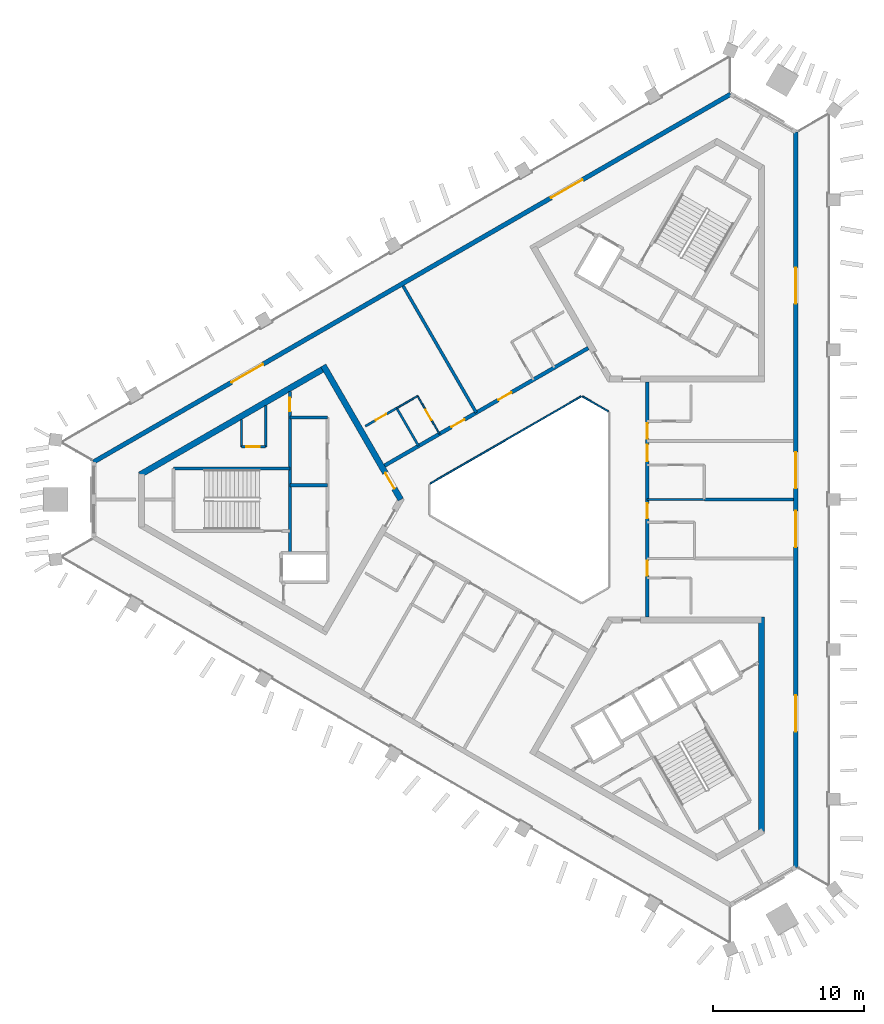
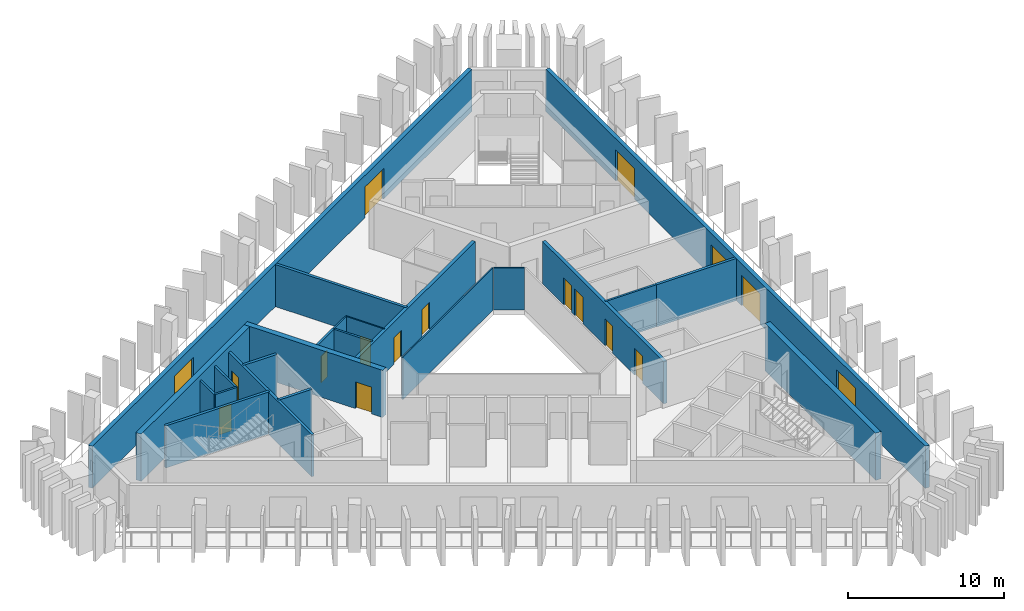
# One storey, part 4 of 10: 23 walls, 17 doors, 17 openings.
"""IFC4 building model written with IfcOpenShell, lengths in metres."""

from ifc_helpers import new_model, si_unit, direction, frame, frame_2d, origin, place, context, subcontext, project, spatial, rectangle, extrude, material, layer, layer_set, type_object, element, fill, save


model = new_model("IFC4")

# Units and contexts
model_context = context("Model", 3, precision=1e-05, world=origin(), true_north=direction((0.0, 1.0)))
body_context = subcontext(model_context, "Body", "Model", "MODEL_VIEW")
ifc_project = project(units=[si_unit("LENGTHUNIT", "METRE"), si_unit("AREAUNIT", "SQUARE_METRE"), si_unit("VOLUMEUNIT", "CUBIC_METRE"), si_unit("PLANEANGLEUNIT", "RADIAN"), si_unit("MASSUNIT", "GRAM", prefix="KILO")], contexts=[model_context])

# Site, building, storey
site_placement = place(None, origin())
site = spatial("IfcSite", under=ifc_project, at=site_placement, CompositionType="ELEMENT")
building_placement = place(site_placement, origin())
building = spatial("IfcBuilding", under=site, at=building_placement, Name="Jabali Bay Hotel Tower and Convention Centre", CompositionType="ELEMENT")
storey_placement = place(building_placement, frame((0.0, 0.0, 255.300048828125)))
storey = spatial("IfcBuildingStorey", under=building, at=storey_placement, Name="L62", CompositionType="ELEMENT", Elevation=255.300048828125)

# Walls
ifc_material_1 = material(Name="Fire-resistant glazing", Category="glass")
ifc_layer_1 = layer(ifc_material_1, 0.10009765625)
ifc_layer_set_1 = layer_set([ifc_layer_1], Name="Fire-resistant glazing")
wall_type_1 = type_object("IfcWallType", Name="Atrium glazed screen 100", PredefinedType="PARTITIONING", material=ifc_layer_set_1)
wall_1_placement = place(storey_placement, frame((79.530029296875, 85.84619140625, 0.0), z_axis=(0.0, 0.0, 1.0), x_axis=(-0.866041268327, 0.499972520799, 0.0)))
element("IfcWall", 1, at=wall_1_placement, inside=storey, type_object=wall_type_1, Name="Atrium screen 2 L62", PredefinedType="PARTITIONING", context=body_context, shape_type="SweptSolid", body=[
    extrude(rectangle(XDim=2.0, YDim=0.10009765625, at=frame_2d((1.0, 0.0))), origin(), (0.0, 0.0, 1.0), 3.300048828125),
])
wall_2_placement = place(storey_placement, frame((77.738037109375, 86.84619140625, 0.0), z_axis=(0.0, 0.0, 1.0), x_axis=(-0.866026658274, -0.499997827154, 0.0)))
element("IfcWall", 2, at=wall_2_placement, inside=storey, type_object=wall_type_1, Name="Atrium screen 3 L62", PredefinedType="PARTITIONING", context=body_context, shape_type="SweptSolid", body=[
    extrude(rectangle(XDim=11.58837890625, YDim=0.10009765625, at=frame_2d((5.794189453125, 0.0))), origin(), (0.0, 0.0, 1.0), 3.300048828125),
])

# Wall, opening, door
ifc_material_2 = material(Name="Fire-rated board partition")
ifc_layer_2 = layer(ifc_material_2, 0.14990234375)
ifc_layer_set_2 = layer_set([ifc_layer_2], Name="Fire-rated board partition")
wall_type_2 = type_object("IfcWallType", Name="Core room partition 150", PredefinedType="PARTITIONING", material=ifc_layer_set_2)
wall_3_placement = place(storey_placement, frame((56.820068359375, 83.5, 0.0), z_axis=(0.0, 0.0, 1.0), x_axis=(-1.0, 0.0, 0.0)))
wall_3 = element("IfcWall", 3, at=wall_3_placement, inside=storey, type_object=wall_type_2, Name="Core wall 0.1 L62", PredefinedType="PARTITIONING", context=body_context, shape_type="SweptSolid", body=[
    extrude(rectangle(XDim=1.60009765625, YDim=0.14990234375, at=frame_2d((0.800048828125, 0.0))), origin(), (0.0, 0.0, 1.0), 3.300048828125),
])
opening_1_placement = place(wall_3_placement, frame((0.387451171875, 0.0, 0.0)))
opening_1 = element("IfcOpeningElement", 4, at=opening_1_placement, cuts=wall_3, Name="Opening D1359", PredefinedType="OPENING", context=body_context, shape_type="SweptSolid", body=[
    extrude(rectangle(XDim=0.89990234375, YDim=2.10009765625, at=frame_2d((0.449951171875, 1.050048828125))), frame((0.0, 0.08544921875, 0.0), z_axis=(0.0, -1.0, 0.0), x_axis=(1.0, 0.0, 0.0)), (0.0, 0.0, 1.0), 0.1708984375),
])
ifc_material_3 = material(Name="Fire-rated steel door", Category="steel")
door_type_1 = type_object("IfcDoorType", Name="Core room door 900 x 2100", OperationType="NOTDEFINED", PredefinedType="NOTDEFINED", material=ifc_material_3)
door_1_placement = place(opening_1_placement, origin())
door_1 = element("IfcDoor", 5, at=door_1_placement, inside=storey, type_object=door_type_1, Name="Core room door D1359", OperationType="SINGLE_SWING_LEFT", OverallHeight=2.10009765625, OverallWidth=0.89990234375, PredefinedType="NOTDEFINED", context=body_context, shape_type="SweptSolid", body=[
    extrude(rectangle(XDim=0.89990234375, YDim=2.10009765625, at=frame_2d((0.449951171875, 1.050048828125))), frame((0.0, 0.02490234375, 0.0), z_axis=(0.0, -1.0, 0.0), x_axis=(1.0, 0.0, 0.0)), (0.0, 0.0, 1.0), 0.050048828125),
])
fill(opening_1, door_1)

# Walls
wall_4_placement = place(storey_placement, frame((56.820068359375, 86.223876953125, 0.0), z_axis=(0.0, 0.0, 1.0), x_axis=(0.0, -1.0, 0.0)))
element("IfcWall", 6, at=wall_4_placement, inside=storey, type_object=wall_type_2, Name="Core wall 0.12 L62", PredefinedType="PARTITIONING", context=body_context, shape_type="SweptSolid", body=[
    extrude(rectangle(XDim=2.723876953125, YDim=0.14990234375, at=frame_2d((1.36181640625, 0.0))), origin(), (0.0, 0.0, 1.0), 3.300048828125),
])
wall_5_placement = place(storey_placement, frame((55.219970703125, 85.300048828125, 0.0), z_axis=(0.0, 0.0, 1.0), x_axis=(0.0, -1.0, 0.0)))
element("IfcWall", 7, at=wall_5_placement, inside=storey, type_object=wall_type_2, Name="Core wall 0.13 L62", PredefinedType="PARTITIONING", context=body_context, shape_type="SweptSolid", body=[
    extrude(rectangle(XDim=1.800048828125, YDim=0.14990234375, at=frame_2d((0.89990234375, 0.0))), origin(), (0.0, 0.0, 1.0), 3.300048828125),
])
ifc_material_4 = material(Name="Concrete C40", Category="concrete")
ifc_layer_3 = layer(ifc_material_4, 0.199951171875)
ifc_layer_set_3 = layer_set([ifc_layer_3], Name="Concrete C40")
wall_type_3 = type_object("IfcWallType", Name="Core stair wall 200", PredefinedType="SOLIDWALL", material=ifc_layer_set_3)
wall_6_placement = place(storey_placement, frame((60.89990234375, 85.449951171875, 0.0), z_axis=(0.0, 0.0, 1.0), x_axis=(-1.0, 0.0, 0.0)))
element("IfcWall", 8, at=wall_6_placement, inside=storey, type_object=wall_type_3, Name="Core wall 0.0 L62", PredefinedType="SOLIDWALL", context=body_context, shape_type="SweptSolid", body=[
    extrude(rectangle(XDim=2.47998046875, YDim=0.199951171875, at=frame_2d((1.239990234375, 0.0))), origin(), (0.0, 0.0, 1.0), 3.300048828125),
])
wall_7_placement = place(storey_placement, frame((58.419921875, 82.074951171875, 0.0), z_axis=(0.0, 0.0, 1.0), x_axis=(-1.0, 0.0, 0.0)))
element("IfcWall", 9, at=wall_7_placement, inside=storey, type_object=wall_type_3, Name="Core wall 0.2 L62", PredefinedType="SOLIDWALL", context=body_context, shape_type="SweptSolid", body=[
    extrude(rectangle(XDim=7.699951171875, YDim=0.199951171875, at=frame_2d((3.85009765625, 0.0))), origin(), (0.0, 0.0, 1.0), 3.300048828125),
])
wall_8_placement = place(storey_placement, frame((60.89990234375, 80.949951171875, 0.0), z_axis=(0.0, 0.0, 1.0), x_axis=(-1.0, 0.0, 0.0)))
element("IfcWall", 10, at=wall_8_placement, inside=storey, type_object=wall_type_3, Name="Core wall 0.3 L62", PredefinedType="SOLIDWALL", context=body_context, shape_type="SweptSolid", body=[
    extrude(rectangle(XDim=2.47998046875, YDim=0.199951171875, at=frame_2d((1.239990234375, 0.0))), origin(), (0.0, 0.0, 1.0), 3.300048828125),
])

# Wall, opening, door
wall_9_placement = place(storey_placement, frame((58.419921875, 87.147705078125, 0.0), z_axis=(0.0, 0.0, 1.0), x_axis=(0.0, -1.0, 0.0)))
wall_9 = element("IfcWall", 11, at=wall_9_placement, inside=storey, type_object=wall_type_3, Name="Core wall 0.9 L62", PredefinedType="SOLIDWALL", context=body_context, shape_type="SweptSolid", body=[
    extrude(rectangle(XDim=10.69775390625, YDim=0.199951171875, at=frame_2d((5.348876953125, 0.0))), origin(), (0.0, 0.0, 1.0), 3.300048828125),
])
opening_2_placement = place(wall_9_placement, frame((0.398681640625, 0.0, 0.0)))
opening_2 = element("IfcOpeningElement", 12, at=opening_2_placement, cuts=wall_9, Name="Opening D1357", PredefinedType="OPENING", context=body_context, shape_type="SweptSolid", body=[
    extrude(rectangle(XDim=0.89990234375, YDim=2.10009765625, at=frame_2d((0.449951171875, 1.050048828125))), frame((0.0, 0.1103515625, 0.0), z_axis=(0.0, -1.0, 0.0), x_axis=(1.0, 0.0, 0.0)), (0.0, 0.0, 1.0), 0.220947265625),
])
door_type_2 = type_object("IfcDoorType", Name="Vestibule fire door 900 x 2100", OperationType="NOTDEFINED", PredefinedType="NOTDEFINED", material=ifc_material_3)
door_2_placement = place(opening_2_placement, origin())
door_2 = element("IfcDoor", 13, at=door_2_placement, inside=storey, type_object=door_type_2, Name="Vestibule fire door D1357", OperationType="SINGLE_SWING_LEFT", OverallHeight=2.10009765625, OverallWidth=0.89990234375, PredefinedType="NOTDEFINED", context=body_context, shape_type="SweptSolid", body=[
    extrude(rectangle(XDim=0.89990234375, YDim=2.10009765625, at=frame_2d((0.449951171875, 1.050048828125))), frame((0.0, 0.02490234375, 0.0), z_axis=(0.0, -1.0, 0.0), x_axis=(1.0, 0.0, 0.0)), (0.0, 0.0, 1.0), 0.050048828125),
])
fill(opening_2, door_2)

ifc_material_5 = material(Name="Concrete C60", Category="concrete")
ifc_layer_4 = layer(ifc_material_5, 0.39990234375)
ifc_layer_set_4 = layer_set([ifc_layer_4], Name="Concrete C60")
wall_type_4 = type_object("IfcWallType", Name="Core wall 400", PredefinedType="SHEAR", material=ifc_layer_set_4)
wall_10_placement = place(storey_placement, frame((65.76904296875, 80.0, 0.0), z_axis=(0.0, 0.0, 1.0), x_axis=(-0.50000177223, 0.866024380585, 0.0)))
wall_10 = element("IfcWall", 14, at=wall_10_placement, inside=storey, type_object=wall_type_4, Name="Core wall 1.1 L62", PredefinedType="SHEAR", context=body_context, shape_type="SweptSolid", body=[
    extrude(rectangle(XDim=10.2646484375, YDim=0.39990234375, at=frame_2d((5.13232421875, 0.0))), origin(), (0.0, 0.0, 1.0), 3.699951171875),
])
opening_3_placement = place(wall_10_placement, frame((0.83447265625, 0.0, 0.0)))
opening_3 = element("IfcOpeningElement", 15, at=opening_3_placement, cuts=wall_10, Name="Opening D1352", PredefinedType="OPENING", context=body_context, shape_type="SweptSolid", body=[
    extrude(rectangle(XDim=1.199951171875, YDim=2.10009765625, at=frame_2d((0.60009765625, 1.050048828125))), frame((0.0, 0.21044921875, 0.0), z_axis=(0.0, -1.0, 0.0), x_axis=(1.0, 0.0, 0.0)), (0.0, 0.0, 1.0), 0.4208984375),
])
door_type_3 = type_object("IfcDoorType", Name="Corridor end fire door 1200 x 2100", OperationType="NOTDEFINED", PredefinedType="NOTDEFINED", material=ifc_material_3)
door_3_placement = place(opening_3_placement, origin())
door_3 = element("IfcDoor", 16, at=door_3_placement, inside=storey, type_object=door_type_3, Name="Corridor end fire door D1352", OperationType="SINGLE_SWING_RIGHT", OverallHeight=2.10009765625, OverallWidth=1.199951171875, PredefinedType="NOTDEFINED", context=body_context, shape_type="SweptSolid", body=[
    extrude(rectangle(XDim=1.199951171875, YDim=2.10009765625, at=frame_2d((0.60009765625, 1.050048828125))), frame((0.0, 0.02490234375, 0.0), z_axis=(0.0, -1.0, 0.0), x_axis=(1.0, 0.0, 0.0)), (0.0, 0.0, 1.0), 0.050048828125),
])
fill(opening_3, door_3)

# Walls
wall_11_placement = place(storey_placement, frame((60.73681640625, 88.716064453125, 0.0), z_axis=(0.0, 0.0, 1.0), x_axis=(-0.866028812667, -0.499994095595, 0.0)))
element("IfcWall", 17, at=wall_11_placement, inside=storey, type_object=wall_type_4, Name="Core wall 1.2 L62", PredefinedType="SHEAR", context=body_context, shape_type="SweptSolid", body=[
    extrude(rectangle(XDim=14.133544921875, YDim=0.39990234375, at=frame_2d((7.06689453125, 0.0))), origin(), (0.0, 0.0, 1.0), 3.699951171875),
])
wall_12_placement = place(storey_placement, frame((89.679931640625, 57.98779296875, 0.0), z_axis=(0.0, 0.0, 1.0), x_axis=(0.0, 1.0, 0.0)))
element("IfcWall", 18, at=wall_12_placement, inside=storey, type_object=wall_type_4, Name="Core wall 3.4 L62", PredefinedType="SHEAR", context=body_context, shape_type="SweptSolid", body=[
    extrude(rectangle(XDim=14.218017578125, YDim=0.39990234375, at=frame_2d((7.10888671875, 0.0))), origin(), (0.0, 0.0, 1.0), 3.699951171875),
])

# Wall, openings, doors
ifc_layer_5 = layer(ifc_material_5, 0.25)
ifc_layer_set_5 = layer_set([ifc_layer_5], Name="Concrete C60")
wall_type_5 = type_object("IfcWallType", Name="Corridor wall 250", PredefinedType="SHEAR", material=ifc_layer_set_5)
wall_13_placement = place(storey_placement, frame((82.10009765625, 72.205810546875, 0.0), z_axis=(0.0, 0.0, 1.0), x_axis=(0.0, 1.0, 0.0)))
wall_13 = element("IfcWall", 19, at=wall_13_placement, inside=storey, type_object=wall_type_5, Name="Corridor wall 1 L62", PredefinedType="SHEAR", context=body_context, shape_type="SweptSolid", body=[
    extrude(rectangle(XDim=15.58837890625, YDim=0.25, at=frame_2d((7.794189453125, 0.0))), origin(), (0.0, 0.0, 1.0), 3.300048828125),
])
opening_4_placement = place(wall_13_placement, frame((2.7470703125, 0.0, 0.0)))
opening_4 = element("IfcOpeningElement", 20, at=opening_4_placement, cuts=wall_13, Name="Opening 6202", PredefinedType="OPENING", context=body_context, shape_type="SweptSolid", body=[
    extrude(rectangle(XDim=1.0, YDim=2.10009765625, at=frame_2d((0.5, 1.050048828125))), frame((0.0, 0.135498046875, 0.0), z_axis=(0.0, -1.0, 0.0), x_axis=(1.0, 0.0, 0.0)), (0.0, 0.0, 1.0), 0.27099609375),
])
opening_5_placement = place(wall_13_placement, frame((6.544189453125, 0.0, 0.0)))
opening_5 = element("IfcOpeningElement", 21, at=opening_5_placement, cuts=wall_13, Name="Opening 6204", PredefinedType="OPENING", context=body_context, shape_type="SweptSolid", body=[
    extrude(rectangle(XDim=1.0, YDim=2.10009765625, at=frame_2d((0.5, 1.050048828125))), frame((0.0, 0.135498046875, 0.0), z_axis=(0.0, -1.0, 0.0), x_axis=(1.0, 0.0, 0.0)), (0.0, 0.0, 1.0), 0.27099609375),
])
opening_6_placement = place(wall_13_placement, frame((10.34130859375, 0.0, 0.0)))
opening_6 = element("IfcOpeningElement", 22, at=opening_6_placement, cuts=wall_13, Name="Opening 6206", PredefinedType="OPENING", context=body_context, shape_type="SweptSolid", body=[
    extrude(rectangle(XDim=1.10009765625, YDim=2.10009765625, at=frame_2d((0.550048828125, 1.050048828125))), frame((0.0, 0.135498046875, 0.0), z_axis=(0.0, -1.0, 0.0), x_axis=(1.0, 0.0, 0.0)), (0.0, 0.0, 1.0), 0.27099609375),
])
opening_7_placement = place(wall_13_placement, frame((11.84130859375, 0.0, 0.0)))
opening_7 = element("IfcOpeningElement", 23, at=opening_7_placement, cuts=wall_13, Name="Opening 6208", PredefinedType="OPENING", context=body_context, shape_type="SweptSolid", body=[
    extrude(rectangle(XDim=1.0, YDim=2.10009765625, at=frame_2d((0.5, 1.050048828125))), frame((0.0, 0.135498046875, 0.0), z_axis=(0.0, -1.0, 0.0), x_axis=(1.0, 0.0, 0.0)), (0.0, 0.0, 1.0), 0.27099609375),
])
ifc_material_6 = material(Name="Timber", Category="wood")
door_type_4 = type_object("IfcDoorType", Name="Accessible guest room door 1100 x 2100", OperationType="NOTDEFINED", PredefinedType="NOTDEFINED", material=ifc_material_6)
door_4_placement = place(opening_6_placement, origin())
door_4 = element("IfcDoor", 24, at=door_4_placement, inside=storey, type_object=door_type_4, Name="Door 6206", OperationType="SINGLE_SWING_RIGHT", OverallHeight=2.10009765625, OverallWidth=1.10009765625, PredefinedType="NOTDEFINED", context=body_context, shape_type="SweptSolid", body=[
    extrude(rectangle(XDim=1.10009765625, YDim=2.10009765625, at=frame_2d((0.550048828125, 1.050048828125))), frame((0.0, 0.02490234375, 0.0), z_axis=(0.0, -1.0, 0.0), x_axis=(1.0, 0.0, 0.0)), (0.0, 0.0, 1.0), 0.050048828125),
])
fill(opening_6, door_4)
door_type_5 = type_object("IfcDoorType", Name="Guest room door 1000 x 2100", OperationType="NOTDEFINED", PredefinedType="NOTDEFINED", material=ifc_material_6)
door_5_placement = place(opening_4_placement, origin())
door_5 = element("IfcDoor", 25, at=door_5_placement, inside=storey, type_object=door_type_5, Name="Door 6202", OperationType="SINGLE_SWING_LEFT", OverallHeight=2.10009765625, OverallWidth=1.0, PredefinedType="NOTDEFINED", context=body_context, shape_type="SweptSolid", body=[
    extrude(rectangle(XDim=1.0, YDim=2.10009765625, at=frame_2d((0.5, 1.050048828125))), frame((0.0, 0.02490234375, 0.0), z_axis=(0.0, -1.0, 0.0), x_axis=(1.0, 0.0, 0.0)), (0.0, 0.0, 1.0), 0.050048828125),
])
fill(opening_4, door_5)
door_6_placement = place(opening_5_placement, origin())
door_6 = element("IfcDoor", 26, at=door_6_placement, inside=storey, type_object=door_type_5, Name="Door 6204", OperationType="SINGLE_SWING_LEFT", OverallHeight=2.10009765625, OverallWidth=1.0, PredefinedType="NOTDEFINED", context=body_context, shape_type="SweptSolid", body=[
    extrude(rectangle(XDim=1.0, YDim=2.10009765625, at=frame_2d((0.5, 1.050048828125))), frame((0.0, 0.02490234375, 0.0), z_axis=(0.0, -1.0, 0.0), x_axis=(1.0, 0.0, 0.0)), (0.0, 0.0, 1.0), 0.050048828125),
])
fill(opening_5, door_6)
door_7_placement = place(opening_7_placement, origin())
door_7 = element("IfcDoor", 27, at=door_7_placement, inside=storey, type_object=door_type_5, Name="Door 6208", OperationType="SINGLE_SWING_RIGHT", OverallHeight=2.10009765625, OverallWidth=1.0, PredefinedType="NOTDEFINED", context=body_context, shape_type="SweptSolid", body=[
    extrude(rectangle(XDim=1.0, YDim=2.10009765625, at=frame_2d((0.5, 1.050048828125))), frame((0.0, 0.02490234375, 0.0), z_axis=(0.0, -1.0, 0.0), x_axis=(1.0, 0.0, 0.0)), (0.0, 0.0, 1.0), 0.050048828125),
])
fill(opening_7, door_7)

wall_14_placement = place(storey_placement, frame((78.199951171875, 90.0458984375, 0.0), z_axis=(0.0, 0.0, 1.0), x_axis=(-0.866026492143, -0.499998114903, 0.0)))
wall_14 = element("IfcWall", 28, at=wall_14_placement, inside=storey, type_object=wall_type_5, Name="Corridor wall 2 L62", PredefinedType="SHEAR", context=body_context, shape_type="SweptSolid", body=[
    extrude(rectangle(XDim=15.58837890625, YDim=0.25, at=frame_2d((7.794189453125, 0.0))), origin(), (0.0, 0.0, 1.0), 3.300048828125),
])
opening_8_placement = place(wall_14_placement, frame((5.88671875, 0.0, 0.0)))
opening_8 = element("IfcOpeningElement", 29, at=opening_8_placement, cuts=wall_14, Name="Opening 6211", PredefinedType="OPENING", context=body_context, shape_type="SweptSolid", body=[
    extrude(rectangle(XDim=1.0, YDim=2.10009765625, at=frame_2d((0.5, 1.050048828125))), frame((0.0, 0.135498046875, 0.0), z_axis=(0.0, -1.0, 0.0), x_axis=(1.0, 0.0, 0.0)), (0.0, 0.0, 1.0), 0.27099609375),
])
opening_9_placement = place(wall_14_placement, frame((9.481201171875, 0.0, 0.0)))
opening_9 = element("IfcOpeningElement", 30, at=opening_9_placement, cuts=wall_14, Name="Opening 6214", PredefinedType="OPENING", context=body_context, shape_type="SweptSolid", body=[
    extrude(rectangle(XDim=1.0, YDim=2.10009765625, at=frame_2d((0.5, 1.050048828125))), frame((0.0, 0.135498046875, 0.0), z_axis=(0.0, -1.0, 0.0), x_axis=(1.0, 0.0, 0.0)), (0.0, 0.0, 1.0), 0.27099609375),
])
door_8_placement = place(opening_8_placement, origin())
door_8 = element("IfcDoor", 31, at=door_8_placement, inside=storey, type_object=door_type_5, Name="Door 6211", OperationType="SINGLE_SWING_LEFT", OverallHeight=2.10009765625, OverallWidth=1.0, PredefinedType="NOTDEFINED", context=body_context, shape_type="SweptSolid", body=[
    extrude(rectangle(XDim=1.0, YDim=2.10009765625, at=frame_2d((0.5, 1.050048828125))), frame((0.0, 0.02490234375, 0.0), z_axis=(0.0, -1.0, 0.0), x_axis=(1.0, 0.0, 0.0)), (0.0, 0.0, 1.0), 0.050048828125),
])
fill(opening_8, door_8)
door_9_placement = place(opening_9_placement, origin())
door_9 = element("IfcDoor", 32, at=door_9_placement, inside=storey, type_object=door_type_5, Name="Door 6214", OperationType="SINGLE_SWING_RIGHT", OverallHeight=2.10009765625, OverallWidth=1.0, PredefinedType="NOTDEFINED", context=body_context, shape_type="SweptSolid", body=[
    extrude(rectangle(XDim=1.0, YDim=2.10009765625, at=frame_2d((0.5, 1.050048828125))), frame((0.0, 0.02490234375, 0.0), z_axis=(0.0, -1.0, 0.0), x_axis=(1.0, 0.0, 0.0)), (0.0, 0.0, 1.0), 0.050048828125),
])
fill(opening_9, door_9)

ifc_layer_6 = layer(ifc_material_4, 0.300048828125)
ifc_layer_set_6 = layer_set([ifc_layer_6], Name="Concrete C40")
wall_type_6 = type_object("IfcWallType", Name="External wall 300", PredefinedType="SOLIDWALL", material=ifc_layer_set_6)
wall_15_placement = place(storey_placement, frame((91.951416015625, 104.3740234375, 0.0), z_axis=(0.0, 0.0, 1.0), x_axis=(0.0, -1.0, 0.0)))
wall_15 = element("IfcWall", 33, at=wall_15_placement, inside=storey, type_object=wall_type_6, Name="External wall east face L62", PredefinedType="SOLIDWALL", context=body_context, shape_type="SweptSolid", body=[
    extrude(rectangle(XDim=48.748046875, YDim=0.300048828125, at=frame_2d((24.3740234375, 0.0))), origin(), (0.0, 0.0, 1.0), 3.300048828125),
])
opening_10_placement = place(wall_15_placement, frame((21.2255859375, 0.0, 0.0)))
opening_10 = element("IfcOpeningElement", 34, at=opening_10_placement, cuts=wall_15, Name="Opening SD1", PredefinedType="OPENING", context=body_context, shape_type="SweptSolid", body=[
    extrude(rectangle(XDim=2.39990234375, YDim=2.39990234375, at=frame_2d((1.199951171875, 1.199951171875))), frame((0.0, 0.16064453125, 0.0), z_axis=(0.0, -1.0, 0.0), x_axis=(1.0, 0.0, 0.0)), (0.0, 0.0, 1.0), 0.321044921875),
])
opening_11_placement = place(wall_15_placement, frame((25.12255859375, 0.0, 0.0)))
opening_11 = element("IfcOpeningElement", 35, at=opening_11_placement, cuts=wall_15, Name="Opening SD1", PredefinedType="OPENING", context=body_context, shape_type="SweptSolid", body=[
    extrude(rectangle(XDim=2.39990234375, YDim=2.39990234375, at=frame_2d((1.199951171875, 1.199951171875))), frame((0.0, 0.16064453125, 0.0), z_axis=(0.0, -1.0, 0.0), x_axis=(1.0, 0.0, 0.0)), (0.0, 0.0, 1.0), 0.321044921875),
])
opening_12_placement = place(wall_15_placement, frame((37.35302734375, 0.0, 0.0)))
opening_12 = element("IfcOpeningElement", 36, at=opening_12_placement, cuts=wall_15, Name="Opening SD1", PredefinedType="OPENING", context=body_context, shape_type="SweptSolid", body=[
    extrude(rectangle(XDim=2.39990234375, YDim=2.39990234375, at=frame_2d((1.199951171875, 1.199951171875))), frame((0.0, 0.16064453125, 0.0), z_axis=(0.0, -1.0, 0.0), x_axis=(1.0, 0.0, 0.0)), (0.0, 0.0, 1.0), 0.321044921875),
])
opening_13_placement = place(wall_15_placement, frame((8.9951171875, 0.0, 0.0)))
opening_13 = element("IfcOpeningElement", 37, at=opening_13_placement, cuts=wall_15, Name="Opening SD1", PredefinedType="OPENING", context=body_context, shape_type="SweptSolid", body=[
    extrude(rectangle(XDim=2.39990234375, YDim=2.39990234375, at=frame_2d((1.199951171875, 1.199951171875))), frame((0.0, 0.16064453125, 0.0), z_axis=(0.0, -1.0, 0.0), x_axis=(1.0, 0.0, 0.0)), (0.0, 0.0, 1.0), 0.321044921875),
])
ifc_material_7 = material(Name="Glass", Category="glass")
door_type_6 = type_object("IfcDoorType", Name="Loggia sliding door 2400 x 2400", OperationType="NOTDEFINED", PredefinedType="NOTDEFINED", material=ifc_material_7)
door_10_placement = place(opening_10_placement, origin())
door_10 = element("IfcDoor", 38, at=door_10_placement, inside=storey, type_object=door_type_6, Name="Loggia sliding door 6203", OperationType="SLIDING_TO_LEFT", OverallHeight=2.39990234375, OverallWidth=2.39990234375, PredefinedType="NOTDEFINED", context=body_context, shape_type="SweptSolid", body=[
    extrude(rectangle(XDim=2.39990234375, YDim=2.39990234375, at=frame_2d((1.199951171875, 1.199951171875))), frame((0.0, 0.02490234375, 0.0), z_axis=(0.0, -1.0, 0.0), x_axis=(1.0, 0.0, 0.0)), (0.0, 0.0, 1.0), 0.050048828125),
])
fill(opening_10, door_10)
door_11_placement = place(opening_11_placement, origin())
door_11 = element("IfcDoor", 39, at=door_11_placement, inside=storey, type_object=door_type_6, Name="Loggia sliding door 6202", OperationType="SLIDING_TO_RIGHT", OverallHeight=2.39990234375, OverallWidth=2.39990234375, PredefinedType="NOTDEFINED", context=body_context, shape_type="SweptSolid", body=[
    extrude(rectangle(XDim=2.39990234375, YDim=2.39990234375, at=frame_2d((1.199951171875, 1.199951171875))), frame((0.0, 0.02490234375, 0.0), z_axis=(0.0, -1.0, 0.0), x_axis=(1.0, 0.0, 0.0)), (0.0, 0.0, 1.0), 0.050048828125),
])
fill(opening_11, door_11)
door_12_placement = place(opening_12_placement, origin())
door_12 = element("IfcDoor", 40, at=door_12_placement, inside=storey, type_object=door_type_6, Name="Loggia sliding door 6201", OperationType="SLIDING_TO_LEFT", OverallHeight=2.39990234375, OverallWidth=2.39990234375, PredefinedType="NOTDEFINED", context=body_context, shape_type="SweptSolid", body=[
    extrude(rectangle(XDim=2.39990234375, YDim=2.39990234375, at=frame_2d((1.199951171875, 1.199951171875))), frame((0.0, 0.02490234375, 0.0), z_axis=(0.0, -1.0, 0.0), x_axis=(1.0, 0.0, 0.0)), (0.0, 0.0, 1.0), 0.050048828125),
])
fill(opening_12, door_12)
door_13_placement = place(opening_13_placement, origin())
door_13 = element("IfcDoor", 41, at=door_13_placement, inside=storey, type_object=door_type_6, Name="Loggia sliding door 6204", OperationType="SLIDING_TO_RIGHT", OverallHeight=2.39990234375, OverallWidth=2.39990234375, PredefinedType="NOTDEFINED", context=body_context, shape_type="SweptSolid", body=[
    extrude(rectangle(XDim=2.39990234375, YDim=2.39990234375, at=frame_2d((1.199951171875, 1.199951171875))), frame((0.0, 0.02490234375, 0.0), z_axis=(0.0, -1.0, 0.0), x_axis=(1.0, 0.0, 0.0)), (0.0, 0.0, 1.0), 0.050048828125),
])
fill(opening_13, door_13)

wall_16_placement = place(storey_placement, frame((45.415771484375, 82.493408203125, 0.0), z_axis=(0.0, 0.0, 1.0), x_axis=(0.866025373204, 0.500000052967, 0.0)))
wall_16 = element("IfcWall", 42, at=wall_16_placement, inside=storey, type_object=wall_type_6, Name="External wall north-west face L62", PredefinedType="SOLIDWALL", context=body_context, shape_type="SweptSolid", body=[
    extrude(rectangle(XDim=48.748046875, YDim=0.300048828125, at=frame_2d((24.3740234375, 0.0))), origin(), (0.0, 0.0, 1.0), 3.300048828125),
])
opening_14_placement = place(wall_16_placement, frame((35.0146484375, 0.0, 0.0)))
opening_14 = element("IfcOpeningElement", 43, at=opening_14_placement, cuts=wall_16, Name="Opening SD1", PredefinedType="OPENING", context=body_context, shape_type="SweptSolid", body=[
    extrude(rectangle(XDim=2.39990234375, YDim=2.39990234375, at=frame_2d((1.199951171875, 1.199951171875))), frame((0.0, 0.16064453125, 0.0), z_axis=(0.0, -1.0, 0.0), x_axis=(1.0, 0.0, 0.0)), (0.0, 0.0, 1.0), 0.321044921875),
])
opening_15_placement = place(wall_16_placement, frame((10.553955078125, 0.0, 0.0)))
opening_15 = element("IfcOpeningElement", 44, at=opening_15_placement, cuts=wall_16, Name="Opening SD1", PredefinedType="OPENING", context=body_context, shape_type="SweptSolid", body=[
    extrude(rectangle(XDim=2.39990234375, YDim=2.39990234375, at=frame_2d((1.199951171875, 1.199951171875))), frame((0.0, 0.16064453125, 0.0), z_axis=(0.0, -1.0, 0.0), x_axis=(1.0, 0.0, 0.0)), (0.0, 0.0, 1.0), 0.321044921875),
])
door_14_placement = place(opening_14_placement, origin())
door_14 = element("IfcDoor", 45, at=door_14_placement, inside=storey, type_object=door_type_6, Name="Loggia sliding door 6205", OperationType="SLIDING_TO_LEFT", OverallHeight=2.39990234375, OverallWidth=2.39990234375, PredefinedType="NOTDEFINED", context=body_context, shape_type="SweptSolid", body=[
    extrude(rectangle(XDim=2.39990234375, YDim=2.39990234375, at=frame_2d((1.199951171875, 1.199951171875))), frame((0.0, 0.02490234375, 0.0), z_axis=(0.0, -1.0, 0.0), x_axis=(1.0, 0.0, 0.0)), (0.0, 0.0, 1.0), 0.050048828125),
])
fill(opening_14, door_14)
door_15_placement = place(opening_15_placement, origin())
door_15 = element("IfcDoor", 46, at=door_15_placement, inside=storey, type_object=door_type_6, Name="Loggia sliding door 6206", OperationType="SLIDING_TO_RIGHT", OverallHeight=2.39990234375, OverallWidth=2.39990234375, PredefinedType="NOTDEFINED", context=body_context, shape_type="SweptSolid", body=[
    extrude(rectangle(XDim=2.39990234375, YDim=2.39990234375, at=frame_2d((1.199951171875, 1.199951171875))), frame((0.0, 0.02490234375, 0.0), z_axis=(0.0, -1.0, 0.0), x_axis=(1.0, 0.0, 0.0)), (0.0, 0.0, 1.0), 0.050048828125),
])
fill(opening_15, door_15)

# Wall
ifc_material_8 = material(Name="Plasterboard on steel stud", Category="steel")
ifc_layer_7 = layer(ifc_material_8, 0.10009765625)
ifc_layer_set_7 = layer_set([ifc_layer_7], Name="Plasterboard on steel stud")
wall_type_7 = type_object("IfcWallType", Name="Partition 100 unit", PredefinedType="PARTITIONING", material=ifc_layer_set_7)
wall_17_placement = place(storey_placement, frame((65.501708984375, 86.063232421875, 0.0), z_axis=(0.0, 0.0, 1.0), x_axis=(0.866055983265, 0.499947031044, 0.0)))
element("IfcWall", 47, at=wall_17_placement, inside=storey, type_object=wall_type_7, Name="Partition P02 L62 022", PredefinedType="PARTITIONING", context=body_context, shape_type="SweptSolid", body=[
    extrude(rectangle(XDim=1.599853515625, YDim=0.10009765625, at=frame_2d((0.7998046875, 0.0))), origin(), (0.0, 0.0, 1.0), 3.300048828125),
])

# Wall, opening, door
wall_18_placement = place(storey_placement, frame((66.88720703125, 86.863037109375, 0.0), z_axis=(0.0, 0.0, 1.0), x_axis=(0.50005036918, -0.865996321171, 0.0)))
wall_18 = element("IfcWall", 48, at=wall_18_placement, inside=storey, type_object=wall_type_7, Name="Partition P02 L62 023", PredefinedType="PARTITIONING", context=body_context, shape_type="SweptSolid", body=[
    extrude(rectangle(XDim=2.900146484375, YDim=0.10009765625, at=frame_2d((1.4501953125, 0.0))), origin(), (0.0, 0.0, 1.0), 3.300048828125),
])
opening_16_placement = place(wall_18_placement, frame((1.050048828125, 0.0, 0.0)))
opening_16 = element("IfcOpeningElement", 49, at=opening_16_placement, cuts=wall_18, Name="Opening 6213", PredefinedType="OPENING", context=body_context, shape_type="SweptSolid", body=[
    extrude(rectangle(XDim=0.800048828125, YDim=2.10009765625, at=frame_2d((0.39990234375, 1.050048828125))), frame((0.0, 0.060546875, 0.0), z_axis=(0.0, -1.0, 0.0), x_axis=(1.0, 0.0, 0.0)), (0.0, 0.0, 1.0), 0.12109375),
])
door_type_7 = type_object("IfcDoorType", Name="Dressing room door 800 x 2100", OperationType="NOTDEFINED", PredefinedType="NOTDEFINED", material=ifc_material_6)
door_16_placement = place(opening_16_placement, origin())
door_16 = element("IfcDoor", 50, at=door_16_placement, inside=storey, type_object=door_type_7, Name="Door 6213", OperationType="SINGLE_SWING_RIGHT", OverallHeight=2.10009765625, OverallWidth=0.800048828125, PredefinedType="NOTDEFINED", context=body_context, shape_type="SweptSolid", body=[
    extrude(rectangle(XDim=0.800048828125, YDim=2.10009765625, at=frame_2d((0.39990234375, 1.050048828125))), frame((0.0, 0.02490234375, 0.0), z_axis=(0.0, -1.0, 0.0), x_axis=(1.0, 0.0, 0.0)), (0.0, 0.0, 1.0), 0.050048828125),
])
fill(opening_16, door_16)

# Wall
ifc_layer_8 = layer(ifc_material_8, 0.14990234375)
ifc_layer_set_8 = layer_set([ifc_layer_8], Name="Plasterboard on steel stud")
wall_type_8 = type_object("IfcWallType", Name="Partition 150 wet", PredefinedType="PARTITIONING", material=ifc_layer_set_8)
wall_19_placement = place(storey_placement, frame((85.887451171875, 80.0, 0.0), z_axis=(0.0, 0.0, 1.0), x_axis=(-1.0, 0.0, 0.0)))
element("IfcWall", 51, at=wall_19_placement, inside=storey, type_object=wall_type_8, Name="Partition P03 L62 009", PredefinedType="PARTITIONING", context=body_context, shape_type="SweptSolid", body=[
    extrude(rectangle(XDim=3.787353515625, YDim=0.14990234375, at=frame_2d((1.8935546875, 0.0))), origin(), (0.0, 0.0, 1.0), 3.300048828125),
])

# Wall, opening, door
wall_20_placement = place(storey_placement, frame((63.42236328125, 84.862548828125, 0.0), z_axis=(0.0, 0.0, 1.0), x_axis=(0.865994240961, 0.500053971709, 0.0)))
wall_20 = element("IfcWall", 52, at=wall_20_placement, inside=storey, type_object=wall_type_8, Name="Partition P03 L62 021", PredefinedType="PARTITIONING", context=body_context, shape_type="SweptSolid", body=[
    extrude(rectangle(XDim=2.401123046875, YDim=0.14990234375, at=frame_2d((1.20068359375, 0.0))), origin(), (0.0, 0.0, 1.0), 3.300048828125),
])
opening_17_placement = place(wall_20_placement, frame((0.801025390625, 0.0, 0.0)))
opening_17 = element("IfcOpeningElement", 53, at=opening_17_placement, cuts=wall_20, Name="Opening 6212", PredefinedType="OPENING", context=body_context, shape_type="SweptSolid", body=[
    extrude(rectangle(XDim=0.800048828125, YDim=2.10009765625, at=frame_2d((0.39990234375, 1.050048828125))), frame((0.0, 0.08544921875, 0.0), z_axis=(0.0, -1.0, 0.0), x_axis=(1.0, 0.0, 0.0)), (0.0, 0.0, 1.0), 0.1708984375),
])
door_type_8 = type_object("IfcDoorType", Name="En-suite door 800 x 2100", OperationType="NOTDEFINED", PredefinedType="NOTDEFINED", material=ifc_material_6)
door_17_placement = place(opening_17_placement, origin())
door_17 = element("IfcDoor", 54, at=door_17_placement, inside=storey, type_object=door_type_8, Name="Door 6212", OperationType="SINGLE_SWING_LEFT", OverallHeight=2.10009765625, OverallWidth=0.800048828125, PredefinedType="NOTDEFINED", context=body_context, shape_type="SweptSolid", body=[
    extrude(rectangle(XDim=0.800048828125, YDim=2.10009765625, at=frame_2d((0.39990234375, 1.050048828125))), frame((0.0, 0.02490234375, 0.0), z_axis=(0.0, -1.0, 0.0), x_axis=(1.0, 0.0, 0.0)), (0.0, 0.0, 1.0), 0.050048828125),
])
fill(opening_17, door_17)

# Walls
wall_21_placement = place(storey_placement, frame((66.95166015625, 83.5517578125, 0.0), z_axis=(0.0, 0.0, 1.0), x_axis=(-0.499987231761, 0.866032775405, 0.0)))
element("IfcWall", 55, at=wall_21_placement, inside=storey, type_object=wall_type_8, Name="Partition P03 L62 025", PredefinedType="PARTITIONING", context=body_context, shape_type="SweptSolid", body=[
    extrude(rectangle(XDim=2.89990234375, YDim=0.14990234375, at=frame_2d((1.449951171875, 0.0))), origin(), (0.0, 0.0, 1.0), 3.300048828125),
])
ifc_layer_9 = layer(ifc_material_8, 0.199951171875)
ifc_layer_set_9 = layer_set([ifc_layer_9], Name="Plasterboard on steel stud")
wall_type_9 = type_object("IfcWallType", Name="Partition 200 party", PredefinedType="PARTITIONING", material=ifc_layer_set_9)
wall_22_placement = place(storey_placement, frame((91.802490234375, 80.0, 0.0), z_axis=(0.0, 0.0, 1.0), x_axis=(-1.0, 0.0, 0.0)))
element("IfcWall", 56, at=wall_22_placement, inside=storey, type_object=wall_type_9, Name="Partition P01 L62 008", PredefinedType="PARTITIONING", context=body_context, shape_type="SweptSolid", body=[
    extrude(rectangle(XDim=5.9150390625, YDim=0.199951171875, at=frame_2d((2.95751953125, 0.0))), origin(), (0.0, 0.0, 1.0), 3.300048828125),
])
wall_23_placement = place(storey_placement, frame((65.923828125, 94.16162109375, 0.0), z_axis=(0.0, 0.0, 1.0), x_axis=(0.499987464755, -0.86603264089, 0.0)))
element("IfcWall", 57, at=wall_23_placement, inside=storey, type_object=wall_type_9, Name="Partition P01 L62 019", PredefinedType="PARTITIONING", context=body_context, shape_type="SweptSolid", body=[
    extrude(rectangle(XDim=9.702392578125, YDim=0.199951171875, at=frame_2d((4.85107421875, 0.0))), origin(), (0.0, 0.0, 1.0), 3.300048828125),
])

save(model, "model.ifc")
